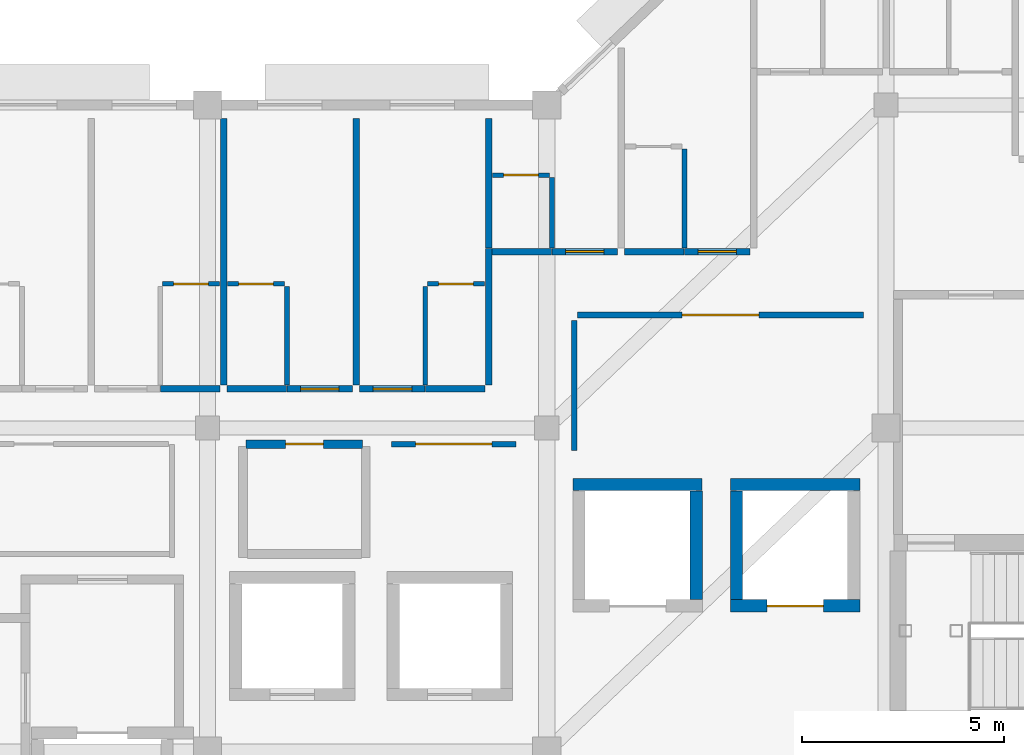
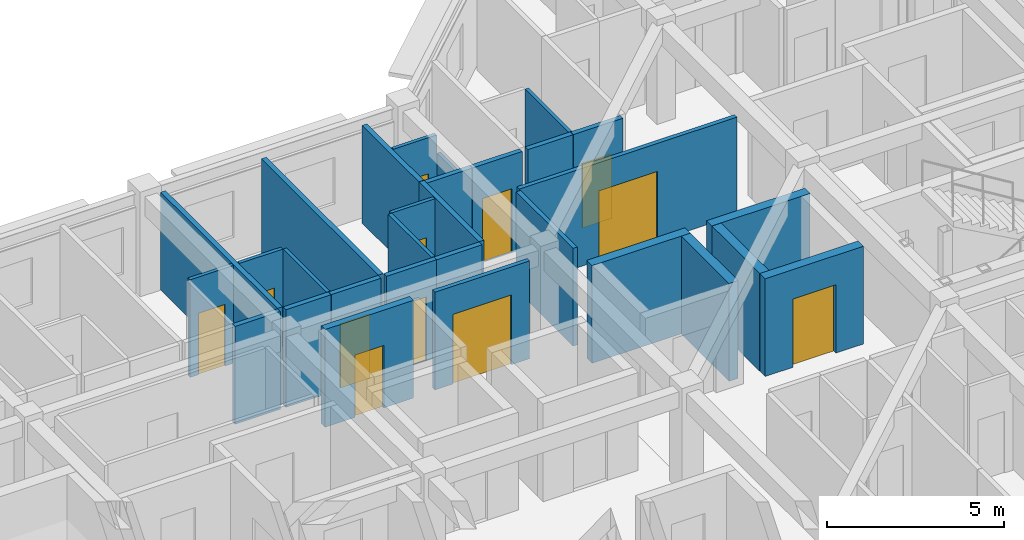
# One storey, part 8 of 15: 30 walls, 12 doors, 12 openings.
"""IFC4 building model written with IfcOpenShell, lengths in metres."""

from ifc_helpers import new_model, si_unit, direction, frame, frame_2d, origin, place, context, subcontext, project, spatial, rectangle, extrude, material, layer, layer_set, type_object, element, fill, save


model = new_model("IFC4")

# Units and contexts
model_context = context("Model", 3, precision=1e-05, world=origin(), true_north=direction((0.0, 1.0)))
body_context = subcontext(model_context, "Body", "Model", "MODEL_VIEW")
ifc_project = project(units=[si_unit("LENGTHUNIT", "METRE"), si_unit("AREAUNIT", "SQUARE_METRE"), si_unit("VOLUMEUNIT", "CUBIC_METRE"), si_unit("PLANEANGLEUNIT", "RADIAN"), si_unit("MASSUNIT", "GRAM", prefix="KILO")], contexts=[model_context])

# Site, building, storey
site_placement = place(None, origin())
site = spatial("IfcSite", under=ifc_project, at=site_placement, CompositionType="ELEMENT")
building_placement = place(site_placement, origin())
building = spatial("IfcBuilding", under=site, at=building_placement, Name="Naruveol Harbour Congress Hotel", CompositionType="ELEMENT")
storey_placement = place(building_placement, frame((0.0, 0.0, 36.0)))
storey = spatial("IfcBuildingStorey", under=building, at=storey_placement, Name="L08", CompositionType="ELEMENT", Elevation=36.0)

# Wall, opening, door
ifc_material_1 = material(Name="Acoustic Double Stud Gypsum", Category="gypsum")
ifc_layer_1 = layer(ifc_material_1, 0.139892578125)
ifc_layer_set_1 = layer_set([ifc_layer_1], Name="Acoustic Double Stud Gypsum")
wall_type_1 = type_object("IfcWallType", Name="ACOUSTIC MEETING PARTITION WALL 140", PredefinedType="PARTITIONING", material=ifc_layer_set_1)
wall_1_placement = place(storey_placement, frame((138.9599609375, 23.60009765625, 0.0), z_axis=(0.0, 0.0, 1.0), x_axis=(1.0, 0.0, 0.0)))
wall_1 = element("IfcWall", 1, at=wall_1_placement, inside=storey, type_object=wall_type_1, Name="Library Reading Lounge north entry wall PW-140", PredefinedType="PARTITIONING", context=body_context, shape_type="SweptSolid", body=[
    extrude(rectangle(XDim=3.080078125, YDim=0.139892578125, at=frame_2d((1.5400390625, 0.0))), origin(), (0.0, 0.0, 1.0), 3.364990234375),
])
opening_1_placement = place(wall_1_placement, frame((0.590087890625, 0.0, 0.0)))
opening_1 = element("IfcOpeningElement", 2, at=opening_1_placement, cuts=wall_1, Name="Opening ID-LG-122", PredefinedType="OPENING", context=body_context, shape_type="SweptSolid", body=[
    extrude(rectangle(XDim=1.89990234375, YDim=2.39990234375, at=frame_2d((0.949951171875, 1.199951171875))), frame((0.0, 0.079833984375, 0.0), z_axis=(0.0, -1.0, 0.0), x_axis=(1.0, 0.0, 0.0)), (0.0, 0.0, 1.0), 0.159912109375),
])
ifc_material_2 = material(Name="Timber & Steel Acoustic Leaf", Category="steel")
door_type_1 = type_object("IfcDoorType", Name="RESTAURANT AND LOUNGE GLAZED DOOR 1900X2400", OperationType="DOUBLE_DOOR_SINGLE_SWING", PredefinedType="DOOR", material=ifc_material_2)
door_1_placement = place(opening_1_placement, origin())
door_1 = element("IfcDoor", 3, at=door_1_placement, inside=storey, type_object=door_type_1, Name="Library Reading Lounge Entrance Door", OperationType="DOUBLE_DOOR_SINGLE_SWING", OverallHeight=2.39990234375, OverallWidth=1.89990234375, PredefinedType="DOOR", context=body_context, shape_type="SweptSolid", body=[
    extrude(rectangle(XDim=1.89990234375, YDim=2.39990234375, at=frame_2d((0.949951171875, 1.199951171875))), frame((0.0, 0.02490234375, 0.0), z_axis=(0.0, -1.0, 0.0), x_axis=(1.0, 0.0, 0.0)), (0.0, 0.0, 1.0), 0.050048828125),
])
fill(opening_1, door_1)

wall_2_placement = place(storey_placement, frame((143.56005859375, 26.800048828125, 0.0), z_axis=(0.0, 0.0, 1.0), x_axis=(1.0, 0.0, 0.0)))
wall_2 = element("IfcWall", 4, at=wall_2_placement, inside=storey, type_object=wall_type_1, Name="Harbour Study Salon north entry wall PW-140", PredefinedType="PARTITIONING", context=body_context, shape_type="SweptSolid", body=[
    extrude(rectangle(XDim=7.079833984375, YDim=0.139892578125, at=frame_2d((3.5400390625, 0.0))), origin(), (0.0, 0.0, 1.0), 3.364990234375),
])
opening_2_placement = place(wall_2_placement, frame((2.590087890625, 0.0, 0.0)))
opening_2 = element("IfcOpeningElement", 5, at=opening_2_placement, cuts=wall_2, Name="Opening ID-LG-125", PredefinedType="OPENING", context=body_context, shape_type="SweptSolid", body=[
    extrude(rectangle(XDim=1.89990234375, YDim=2.39990234375, at=frame_2d((0.949951171875, 1.199951171875))), frame((0.0, 0.079833984375, 0.0), z_axis=(0.0, -1.0, 0.0), x_axis=(1.0, 0.0, 0.0)), (0.0, 0.0, 1.0), 0.159912109375),
])
door_2_placement = place(opening_2_placement, origin())
door_2 = element("IfcDoor", 6, at=door_2_placement, inside=storey, type_object=door_type_1, Name="Harbour Study Salon Entrance Door", OperationType="DOUBLE_DOOR_SINGLE_SWING", OverallHeight=2.39990234375, OverallWidth=1.89990234375, PredefinedType="DOOR", context=body_context, shape_type="SweptSolid", body=[
    extrude(rectangle(XDim=1.89990234375, YDim=2.39990234375, at=frame_2d((0.949951171875, 1.199951171875))), frame((0.0, 0.02490234375, 0.0), z_axis=(0.0, -1.0, 0.0), x_axis=(1.0, 0.0, 0.0)), (0.0, 0.0, 1.0), 0.050048828125),
])
fill(opening_2, door_2)

# Wall
wall_3_placement = place(storey_placement, frame((143.47998046875, 23.449951171875, 0.0), z_axis=(0.0, 0.0, 1.0), x_axis=(0.0, 1.0, 0.0)))
element("IfcWall", 7, at=wall_3_placement, inside=storey, type_object=wall_type_1, Name="Harbour Study Salon west partition PW-140", PredefinedType="PARTITIONING", context=body_context, shape_type="SweptSolid", body=[
    extrude(rectangle(XDim=3.2099609375, YDim=0.139892578125, at=frame_2d((1.60498046875, 0.0))), origin(), (0.0, 0.0, 1.0), 3.364990234375),
])

# Wall, opening, door
ifc_material_3 = material(Name="Moisture-Resistant Gypsum Partition", Category="gypsum")
ifc_layer_2 = layer(ifc_material_3, 0.114990234375)
ifc_layer_set_2 = layer_set([ifc_layer_2], Name="Moisture-Resistant Gypsum Partition")
wall_type_2 = type_object("IfcWallType", Name="BATHROOM MOISTURE PARTITION WALL 115", PredefinedType="PARTITIONING", material=ifc_layer_set_2)
wall_4_placement = place(storey_placement, frame((133.2900390625, 27.570068359375, 0.0), z_axis=(0.0, 0.0, 1.0), x_axis=(1.0, 0.0, 0.0)))
wall_4 = element("IfcWall", 8, at=wall_4_placement, inside=storey, type_object=wall_type_2, Name="Bathroom north wall 0940 PW-115", PredefinedType="PARTITIONING", context=body_context, shape_type="SweptSolid", body=[
    extrude(rectangle(XDim=1.409912109375, YDim=0.114990234375, at=frame_2d((0.705078125, 0.0))), origin(), (0.0, 0.0, 1.0), 3.364990234375),
])
opening_3_placement = place(wall_4_placement, frame((0.27490234375, 0.0, 0.0)))
opening_3 = element("IfcOpeningElement", 9, at=opening_3_placement, cuts=wall_4, Name="Opening BD-RM0940", PredefinedType="OPENING", context=body_context, shape_type="SweptSolid", body=[
    extrude(rectangle(XDim=0.860107421875, YDim=2.1201171875, at=frame_2d((0.43017578125, 1.06005859375))), frame((0.0, 0.0673828125, 0.0), z_axis=(0.0, -1.0, 0.0), x_axis=(1.0, 0.0, 0.0)), (0.0, 0.0, 1.0), 0.135009765625),
])
ifc_material_4 = material(Name="Timber & Steel Acoustic Leaf", Category="steel")
door_type_2 = type_object("IfcDoorType", Name="GUEST BATHROOM DOOR 860X2120", OperationType="NOTDEFINED", PredefinedType="DOOR", material=ifc_material_4)
door_3_placement = place(opening_3_placement, origin())
door_3 = element("IfcDoor", 10, at=door_3_placement, inside=storey, type_object=door_type_2, Name="Bathroom Door 0940", OperationType="SINGLE_SWING_RIGHT", OverallHeight=2.1201171875, OverallWidth=0.860107421875, PredefinedType="DOOR", context=body_context, shape_type="SweptSolid", body=[
    extrude(rectangle(XDim=0.860107421875, YDim=2.1201171875, at=frame_2d((0.43017578125, 1.06005859375))), frame((0.0, 0.02490234375, 0.0), z_axis=(0.0, -1.0, 0.0), x_axis=(1.0, 0.0, 0.0)), (0.0, 0.0, 1.0), 0.050048828125),
])
fill(opening_3, door_3)

# Wall
wall_5_placement = place(storey_placement, frame((136.3701171875, 25.06005859375, 0.0), z_axis=(0.0, 0.0, 1.0), x_axis=(0.0, 1.0, 0.0)))
element("IfcWall", 11, at=wall_5_placement, inside=storey, type_object=wall_type_2, Name="Bathroom east wall 0941 PW-115", PredefinedType="PARTITIONING", context=body_context, shape_type="SweptSolid", body=[
    extrude(rectangle(XDim=2.449951171875, YDim=0.114990234375, at=frame_2d((1.22509765625, 0.0))), origin(), (0.0, 0.0, 1.0), 3.364990234375),
])

# Wall, opening, door
wall_6_placement = place(storey_placement, frame((134.89990234375, 27.570068359375, 0.0), z_axis=(0.0, 0.0, 1.0), x_axis=(1.0, 0.0, 0.0)))
wall_6 = element("IfcWall", 12, at=wall_6_placement, inside=storey, type_object=wall_type_2, Name="Bathroom north wall 0941 PW-115", PredefinedType="PARTITIONING", context=body_context, shape_type="SweptSolid", body=[
    extrude(rectangle(XDim=1.41015625, YDim=0.114990234375, at=frame_2d((0.705078125, 0.0))), origin(), (0.0, 0.0, 1.0), 3.364990234375),
])
opening_4_placement = place(wall_6_placement, frame((0.27490234375, 0.0, 0.0)))
opening_4 = element("IfcOpeningElement", 13, at=opening_4_placement, cuts=wall_6, Name="Opening BD-RM0941", PredefinedType="OPENING", context=body_context, shape_type="SweptSolid", body=[
    extrude(rectangle(XDim=0.860107421875, YDim=2.1201171875, at=frame_2d((0.43017578125, 1.06005859375))), frame((0.0, 0.0673828125, 0.0), z_axis=(0.0, -1.0, 0.0), x_axis=(1.0, 0.0, 0.0)), (0.0, 0.0, 1.0), 0.135009765625),
])
door_4_placement = place(opening_4_placement, origin())
door_4 = element("IfcDoor", 14, at=door_4_placement, inside=storey, type_object=door_type_2, Name="Bathroom Door 0941", OperationType="SINGLE_SWING_RIGHT", OverallHeight=2.1201171875, OverallWidth=0.860107421875, PredefinedType="DOOR", context=body_context, shape_type="SweptSolid", body=[
    extrude(rectangle(XDim=0.860107421875, YDim=2.1201171875, at=frame_2d((0.43017578125, 1.06005859375))), frame((0.0, 0.02490234375, 0.0), z_axis=(0.0, -1.0, 0.0), x_axis=(1.0, 0.0, 0.0)), (0.0, 0.0, 1.0), 0.050048828125),
])
fill(opening_4, door_4)

# Wall
wall_7_placement = place(storey_placement, frame((139.7900390625, 25.06005859375, 0.0), z_axis=(0.0, 0.0, 1.0), x_axis=(0.0, 1.0, 0.0)))
element("IfcWall", 15, at=wall_7_placement, inside=storey, type_object=wall_type_2, Name="Bathroom west wall 0942 PW-115", PredefinedType="PARTITIONING", context=body_context, shape_type="SweptSolid", body=[
    extrude(rectangle(XDim=2.449951171875, YDim=0.114990234375, at=frame_2d((1.22509765625, 0.0))), origin(), (0.0, 0.0, 1.0), 3.364990234375),
])

# Wall, opening, door
wall_8_placement = place(storey_placement, frame((139.85009765625, 27.570068359375, 0.0), z_axis=(0.0, 0.0, 1.0), x_axis=(1.0, 0.0, 0.0)))
wall_8 = element("IfcWall", 16, at=wall_8_placement, inside=storey, type_object=wall_type_2, Name="Bathroom north wall 0942 PW-115", PredefinedType="PARTITIONING", context=body_context, shape_type="SweptSolid", body=[
    extrude(rectangle(XDim=1.409912109375, YDim=0.114990234375, at=frame_2d((0.705078125, 0.0))), origin(), (0.0, 0.0, 1.0), 3.364990234375),
])
opening_5_placement = place(wall_8_placement, frame((0.27490234375, 0.0, 0.0)))
opening_5 = element("IfcOpeningElement", 17, at=opening_5_placement, cuts=wall_8, Name="Opening BD-RM0942", PredefinedType="OPENING", context=body_context, shape_type="SweptSolid", body=[
    extrude(rectangle(XDim=0.860107421875, YDim=2.1201171875, at=frame_2d((0.43017578125, 1.06005859375))), frame((0.0, 0.0673828125, 0.0), z_axis=(0.0, -1.0, 0.0), x_axis=(1.0, 0.0, 0.0)), (0.0, 0.0, 1.0), 0.135009765625),
])
door_5_placement = place(opening_5_placement, origin())
door_5 = element("IfcDoor", 18, at=door_5_placement, inside=storey, type_object=door_type_2, Name="Bathroom Door 0942", OperationType="SINGLE_SWING_RIGHT", OverallHeight=2.1201171875, OverallWidth=0.860107421875, PredefinedType="DOOR", context=body_context, shape_type="SweptSolid", body=[
    extrude(rectangle(XDim=0.860107421875, YDim=2.1201171875, at=frame_2d((0.43017578125, 1.06005859375))), frame((0.0, 0.02490234375, 0.0), z_axis=(0.0, -1.0, 0.0), x_axis=(1.0, 0.0, 0.0)), (0.0, 0.0, 1.0), 0.050048828125),
])
fill(opening_5, door_5)

# Wall
wall_9_placement = place(storey_placement, frame((142.929931640625, 28.4599609375, 0.0), z_axis=(0.0, 0.0, 1.0), x_axis=(0.0, 1.0, 0.0)))
element("IfcWall", 19, at=wall_9_placement, inside=storey, type_object=wall_type_2, Name="Bathroom east wall 0943 PW-115", PredefinedType="PARTITIONING", context=body_context, shape_type="SweptSolid", body=[
    extrude(rectangle(XDim=1.739990234375, YDim=0.114990234375, at=frame_2d((0.8701171875, 0.0))), origin(), (0.0, 0.0, 1.0), 2.739990234375),
])

# Wall, opening, door
wall_10_placement = place(storey_placement, frame((141.4599609375, 30.260009765625, 0.0), z_axis=(0.0, 0.0, 1.0), x_axis=(1.0, 0.0, 0.0)))
wall_10 = element("IfcWall", 20, at=wall_10_placement, inside=storey, type_object=wall_type_2, Name="Bathroom north wall 0943 PW-115", PredefinedType="PARTITIONING", context=body_context, shape_type="SweptSolid", body=[
    extrude(rectangle(XDim=1.41015625, YDim=0.114990234375, at=frame_2d((0.705078125, 0.0))), origin(), (0.0, 0.0, 1.0), 3.364990234375),
])
opening_6_placement = place(wall_10_placement, frame((0.27490234375, 0.0, 0.0)))
opening_6 = element("IfcOpeningElement", 21, at=opening_6_placement, cuts=wall_10, Name="Opening BD-RM0943", PredefinedType="OPENING", context=body_context, shape_type="SweptSolid", body=[
    extrude(rectangle(XDim=0.860107421875, YDim=2.1201171875, at=frame_2d((0.43017578125, 1.06005859375))), frame((0.0, 0.0673828125, 0.0), z_axis=(0.0, -1.0, 0.0), x_axis=(1.0, 0.0, 0.0)), (0.0, 0.0, 1.0), 0.135009765625),
])
door_6_placement = place(opening_6_placement, origin())
door_6 = element("IfcDoor", 22, at=door_6_placement, inside=storey, type_object=door_type_2, Name="Bathroom Door 0943", OperationType="SINGLE_SWING_RIGHT", OverallHeight=2.1201171875, OverallWidth=0.860107421875, PredefinedType="DOOR", context=body_context, shape_type="SweptSolid", body=[
    extrude(rectangle(XDim=0.860107421875, YDim=2.1201171875, at=frame_2d((0.43017578125, 1.06005859375))), frame((0.0, 0.02490234375, 0.0), z_axis=(0.0, -1.0, 0.0), x_axis=(1.0, 0.0, 0.0)), (0.0, 0.0, 1.0), 0.050048828125),
])
fill(opening_6, door_6)

# Wall
wall_11_placement = place(storey_placement, frame((146.2099609375, 28.4599609375, 0.0), z_axis=(0.0, 0.0, 1.0), x_axis=(0.0, 1.0, 0.0)))
element("IfcWall", 23, at=wall_11_placement, inside=storey, type_object=wall_type_2, Name="Bathroom east wall 0944 PW-115", PredefinedType="PARTITIONING", context=body_context, shape_type="SweptSolid", body=[
    extrude(rectangle(XDim=2.449951171875, YDim=0.114990234375, at=frame_2d((1.22509765625, 0.0))), origin(), (0.0, 0.0, 1.0), 3.364990234375),
])

# Wall, opening, door
ifc_material_5 = material(Name="Concrete C40/50", Category="concrete")
ifc_layer_3 = layer(ifc_material_5, 0.219970703125)
ifc_layer_set_3 = layer_set([ifc_layer_3], Name="Concrete C40/50")
wall_type_3 = type_object("IfcWallType", Name="FIRE COMPARTMENT AND LOBBY WALL 220 EI120", PredefinedType="PARTITIONING", material=ifc_layer_set_3)
wall_12_placement = place(storey_placement, frame((135.360107421875, 23.60009765625, 0.0), z_axis=(0.0, 0.0, 1.0), x_axis=(1.0, 0.0, 0.0)))
wall_12 = element("IfcWall", 24, at=wall_12_placement, inside=storey, type_object=wall_type_3, Name="Housekeeping Pantry north entry wall FW-220", PredefinedType="PARTITIONING", context=body_context, shape_type="SweptSolid", body=[
    extrude(rectangle(XDim=2.8798828125, YDim=0.219970703125, at=frame_2d((1.43994140625, 0.0))), origin(), (0.0, 0.0, 1.0), 3.364990234375),
])
opening_7_placement = place(wall_12_placement, frame((0.969970703125, 0.0, 0.0)))
opening_7 = element("IfcOpeningElement", 25, at=opening_7_placement, cuts=wall_12, Name="Opening FD-ST-124", PredefinedType="OPENING", context=body_context, shape_type="SweptSolid", body=[
    extrude(rectangle(XDim=0.93994140625, YDim=2.14990234375, at=frame_2d((0.469970703125, 1.074951171875))), frame((0.0, 0.119873046875, 0.0), z_axis=(0.0, -1.0, 0.0), x_axis=(1.0, 0.0, 0.0)), (0.0, 0.0, 1.0), 0.239990234375),
])
ifc_material_6 = material(Name="Timber & Steel Acoustic Leaf", Category="steel")
door_type_3 = type_object("IfcDoorType", Name="HOUSEKEEPING AND STORE FIRE DOOR 940X2150", OperationType="NOTDEFINED", PredefinedType="DOOR", material=ifc_material_6)
door_7_placement = place(opening_7_placement, origin())
door_7 = element("IfcDoor", 26, at=door_7_placement, inside=storey, type_object=door_type_3, Name="Housekeeping Pantry Fire Door", OperationType="SINGLE_SWING_RIGHT", OverallHeight=2.14990234375, OverallWidth=0.93994140625, PredefinedType="DOOR", context=body_context, shape_type="SweptSolid", body=[
    extrude(rectangle(XDim=0.93994140625, YDim=2.14990234375, at=frame_2d((0.469970703125, 1.074951171875))), frame((0.0, 0.02490234375, 0.0), z_axis=(0.0, -1.0, 0.0), x_axis=(1.0, 0.0, 0.0)), (0.0, 0.0, 1.0), 0.050048828125),
])
fill(opening_7, door_7)

# Walls
ifc_material_7 = material(Name="Autoclaved Aerated Concrete Block", Category="concrete")
ifc_layer_4 = layer(ifc_material_7, 0.159912109375)
ifc_layer_set_4 = layer_set([ifc_layer_4], Name="Autoclaved Aerated Concrete Block")
wall_type_4 = type_object("IfcWallType", Name="HOTEL PARTY AND CORRIDOR WALL 160 EI60", PredefinedType="PARTITIONING", material=ifc_layer_set_4)
wall_13_placement = place(storey_placement, frame((133.239990234375, 24.969970703125, 0.0), z_axis=(0.0, 0.0, 1.0), x_axis=(1.0, 0.0, 0.0)))
element("IfcWall", 27, at=wall_13_placement, inside=storey, type_object=wall_type_4, Name="Corridor wall 0940B PW-160", PredefinedType="PARTITIONING", context=body_context, shape_type="SweptSolid", body=[
    extrude(rectangle(XDim=1.469970703125, YDim=0.159912109375, at=frame_2d((0.73486328125, 0.0))), origin(), (0.0, 0.0, 1.0), 3.364990234375),
])
wall_14_placement = place(storey_placement, frame((134.889892578125, 24.969970703125, 0.0), z_axis=(0.0, 0.0, 1.0), x_axis=(1.0, 0.0, 0.0)))
element("IfcWall", 28, at=wall_14_placement, inside=storey, type_object=wall_type_4, Name="Corridor wall 0941B PW-160", PredefinedType="PARTITIONING", context=body_context, shape_type="SweptSolid", body=[
    extrude(rectangle(XDim=1.47021484375, YDim=0.159912109375, at=frame_2d((0.735107421875, 0.0))), origin(), (0.0, 0.0, 1.0), 3.364990234375),
])

# Wall, opening, door
wall_15_placement = place(storey_placement, frame((136.3701171875, 24.969970703125, 0.0), z_axis=(0.0, 0.0, 1.0), x_axis=(1.0, 0.0, 0.0)))
wall_15 = element("IfcWall", 29, at=wall_15_placement, inside=storey, type_object=wall_type_4, Name="Corridor entry wall 0941 PW-160", PredefinedType="PARTITIONING", context=body_context, shape_type="SweptSolid", body=[
    extrude(rectangle(XDim=1.619873046875, YDim=0.159912109375, at=frame_2d((0.81005859375, 0.0))), origin(), (0.0, 0.0, 1.0), 3.364990234375),
])
opening_8_placement = place(wall_15_placement, frame((0.330078125, 0.0, 0.0)))
opening_8 = element("IfcOpeningElement", 30, at=opening_8_placement, cuts=wall_15, Name="Opening FD-RM0941", PredefinedType="OPENING", context=body_context, shape_type="SweptSolid", body=[
    extrude(rectangle(XDim=0.9599609375, YDim=2.199951171875, at=frame_2d((0.47998046875, 1.10009765625))), frame((0.0, 0.08984375, 0.0), z_axis=(0.0, -1.0, 0.0), x_axis=(1.0, 0.0, 0.0)), (0.0, 0.0, 1.0), 0.179931640625),
])
ifc_material_8 = material(Name="Timber & Steel Acoustic Leaf", Category="steel")
door_type_4 = type_object("IfcDoorType", Name="GUEST ROOM ENTRANCE FIRE DOOR 960X2200", OperationType="NOTDEFINED", PredefinedType="DOOR", material=ifc_material_8)
door_8_placement = place(opening_8_placement, origin())
door_8 = element("IfcDoor", 31, at=door_8_placement, inside=storey, type_object=door_type_4, Name="Hotel Room Door 0941", OperationType="SINGLE_SWING_LEFT", OverallHeight=2.199951171875, OverallWidth=0.9599609375, PredefinedType="DOOR", context=body_context, shape_type="SweptSolid", body=[
    extrude(rectangle(XDim=0.9599609375, YDim=2.199951171875, at=frame_2d((0.47998046875, 1.10009765625))), frame((0.0, 0.02490234375, 0.0), z_axis=(0.0, -1.0, 0.0), x_axis=(1.0, 0.0, 0.0)), (0.0, 0.0, 1.0), 0.050048828125),
])
fill(opening_8, door_8)

# Wall
wall_16_placement = place(storey_placement, frame((134.800048828125, 25.06005859375, 0.0), z_axis=(0.0, 0.0, 1.0), x_axis=(0.0, 1.0, 0.0)))
element("IfcWall", 32, at=wall_16_placement, inside=storey, type_object=wall_type_4, Name="Hotel party wall 0941 PW-160", PredefinedType="PARTITIONING", context=body_context, shape_type="SweptSolid", body=[
    extrude(rectangle(XDim=6.599853515625, YDim=0.159912109375, at=frame_2d((3.2998046875, 0.0))), origin(), (0.0, 0.0, 1.0), 3.364990234375),
])

# Wall, opening, door
wall_17_placement = place(storey_placement, frame((138.169921875, 24.969970703125, 0.0), z_axis=(0.0, 0.0, 1.0), x_axis=(1.0, 0.0, 0.0)))
wall_17 = element("IfcWall", 33, at=wall_17_placement, inside=storey, type_object=wall_type_4, Name="Corridor entry wall 0942 PW-160", PredefinedType="PARTITIONING", context=body_context, shape_type="SweptSolid", body=[
    extrude(rectangle(XDim=1.6201171875, YDim=0.159912109375, at=frame_2d((0.81005859375, 0.0))), origin(), (0.0, 0.0, 1.0), 3.364990234375),
])
opening_9_placement = place(wall_17_placement, frame((0.330078125, 0.0, 0.0)))
opening_9 = element("IfcOpeningElement", 34, at=opening_9_placement, cuts=wall_17, Name="Opening FD-RM0942", PredefinedType="OPENING", context=body_context, shape_type="SweptSolid", body=[
    extrude(rectangle(XDim=0.9599609375, YDim=2.199951171875, at=frame_2d((0.47998046875, 1.10009765625))), frame((0.0, 0.08984375, 0.0), z_axis=(0.0, -1.0, 0.0), x_axis=(1.0, 0.0, 0.0)), (0.0, 0.0, 1.0), 0.179931640625),
])
door_9_placement = place(opening_9_placement, origin())
door_9 = element("IfcDoor", 35, at=door_9_placement, inside=storey, type_object=door_type_4, Name="Hotel Room Door 0942", OperationType="SINGLE_SWING_LEFT", OverallHeight=2.199951171875, OverallWidth=0.9599609375, PredefinedType="DOOR", context=body_context, shape_type="SweptSolid", body=[
    extrude(rectangle(XDim=0.9599609375, YDim=2.199951171875, at=frame_2d((0.47998046875, 1.10009765625))), frame((0.0, 0.02490234375, 0.0), z_axis=(0.0, -1.0, 0.0), x_axis=(1.0, 0.0, 0.0)), (0.0, 0.0, 1.0), 0.050048828125),
])
fill(opening_9, door_9)

# Walls
wall_18_placement = place(storey_placement, frame((139.800048828125, 24.969970703125, 0.0), z_axis=(0.0, 0.0, 1.0), x_axis=(1.0, 0.0, 0.0)))
element("IfcWall", 36, at=wall_18_placement, inside=storey, type_object=wall_type_4, Name="Corridor wall 0942B PW-160", PredefinedType="PARTITIONING", context=body_context, shape_type="SweptSolid", body=[
    extrude(rectangle(XDim=1.469970703125, YDim=0.159912109375, at=frame_2d((0.73486328125, 0.0))), origin(), (0.0, 0.0, 1.0), 3.364990234375),
])
wall_19_placement = place(storey_placement, frame((138.080078125, 25.06005859375, 0.0), z_axis=(0.0, 0.0, 1.0), x_axis=(0.0, 1.0, 0.0)))
element("IfcWall", 37, at=wall_19_placement, inside=storey, type_object=wall_type_4, Name="Hotel party wall 0942 PW-160", PredefinedType="PARTITIONING", context=body_context, shape_type="SweptSolid", body=[
    extrude(rectangle(XDim=6.599853515625, YDim=0.159912109375, at=frame_2d((3.2998046875, 0.0))), origin(), (0.0, 0.0, 1.0), 3.364990234375),
])
wall_20_placement = place(storey_placement, frame((141.360107421875, 25.06005859375, 0.0), z_axis=(0.0, 0.0, 1.0), x_axis=(0.0, 1.0, 0.0)))
element("IfcWall", 38, at=wall_20_placement, inside=storey, type_object=wall_type_4, Name="Hotel end party wall 0942 PW-160", PredefinedType="PARTITIONING", context=body_context, shape_type="SweptSolid", body=[
    extrude(rectangle(XDim=3.389892578125, YDim=0.159912109375, at=frame_2d((1.69482421875, 0.0))), origin(), (0.0, 0.0, 1.0), 3.364990234375),
])
wall_21_placement = place(storey_placement, frame((141.449951171875, 28.3701171875, 0.0), z_axis=(0.0, 0.0, 1.0), x_axis=(1.0, 0.0, 0.0)))
element("IfcWall", 39, at=wall_21_placement, inside=storey, type_object=wall_type_4, Name="Corridor wall 0943B PW-160", PredefinedType="PARTITIONING", context=body_context, shape_type="SweptSolid", body=[
    extrude(rectangle(XDim=1.469970703125, YDim=0.159912109375, at=frame_2d((0.73486328125, 0.0))), origin(), (0.0, 0.0, 1.0), 3.364990234375),
])

# Wall, opening, door
wall_22_placement = place(storey_placement, frame((142.929931640625, 28.3701171875, 0.0), z_axis=(0.0, 0.0, 1.0), x_axis=(1.0, 0.0, 0.0)))
wall_22 = element("IfcWall", 40, at=wall_22_placement, inside=storey, type_object=wall_type_4, Name="Corridor entry wall 0943 PW-160", PredefinedType="PARTITIONING", context=body_context, shape_type="SweptSolid", body=[
    extrude(rectangle(XDim=1.6201171875, YDim=0.159912109375, at=frame_2d((0.81005859375, 0.0))), origin(), (0.0, 0.0, 1.0), 3.364990234375),
])
opening_10_placement = place(wall_22_placement, frame((0.330078125, 0.0, 0.0)))
opening_10 = element("IfcOpeningElement", 41, at=opening_10_placement, cuts=wall_22, Name="Opening FD-RM0943", PredefinedType="OPENING", context=body_context, shape_type="SweptSolid", body=[
    extrude(rectangle(XDim=0.9599609375, YDim=2.199951171875, at=frame_2d((0.47998046875, 1.10009765625))), frame((0.0, 0.08984375, 0.0), z_axis=(0.0, -1.0, 0.0), x_axis=(1.0, 0.0, 0.0)), (0.0, 0.0, 1.0), 0.179931640625),
])
door_10_placement = place(opening_10_placement, origin())
door_10 = element("IfcDoor", 42, at=door_10_placement, inside=storey, type_object=door_type_4, Name="Hotel Room Door 0943", OperationType="SINGLE_SWING_LEFT", OverallHeight=2.199951171875, OverallWidth=0.9599609375, PredefinedType="DOOR", context=body_context, shape_type="SweptSolid", body=[
    extrude(rectangle(XDim=0.9599609375, YDim=2.199951171875, at=frame_2d((0.47998046875, 1.10009765625))), frame((0.0, 0.02490234375, 0.0), z_axis=(0.0, -1.0, 0.0), x_axis=(1.0, 0.0, 0.0)), (0.0, 0.0, 1.0), 0.050048828125),
])
fill(opening_10, door_10)

# Walls
wall_23_placement = place(storey_placement, frame((141.360107421875, 28.4599609375, 0.0), z_axis=(0.0, 0.0, 1.0), x_axis=(0.0, 1.0, 0.0)))
element("IfcWall", 43, at=wall_23_placement, inside=storey, type_object=wall_type_4, Name="Hotel party wall 0943 PW-160", PredefinedType="PARTITIONING", context=body_context, shape_type="SweptSolid", body=[
    extrude(rectangle(XDim=3.199951171875, YDim=0.159912109375, at=frame_2d((1.60009765625, 0.0))), origin(), (0.0, 0.0, 1.0), 3.364990234375),
])
wall_24_placement = place(storey_placement, frame((144.72998046875, 28.3701171875, 0.0), z_axis=(0.0, 0.0, 1.0), x_axis=(1.0, 0.0, 0.0)))
element("IfcWall", 44, at=wall_24_placement, inside=storey, type_object=wall_type_4, Name="Corridor wall 0944B PW-160", PredefinedType="PARTITIONING", context=body_context, shape_type="SweptSolid", body=[
    extrude(rectangle(XDim=1.469970703125, YDim=0.159912109375, at=frame_2d((0.73486328125, 0.0))), origin(), (0.0, 0.0, 1.0), 3.364990234375),
])

# Wall, opening, door
wall_25_placement = place(storey_placement, frame((146.2099609375, 28.3701171875, 0.0), z_axis=(0.0, 0.0, 1.0), x_axis=(1.0, 0.0, 0.0)))
wall_25 = element("IfcWall", 45, at=wall_25_placement, inside=storey, type_object=wall_type_4, Name="Corridor entry wall 0944 PW-160", PredefinedType="PARTITIONING", context=body_context, shape_type="SweptSolid", body=[
    extrude(rectangle(XDim=1.6201171875, YDim=0.159912109375, at=frame_2d((0.81005859375, 0.0))), origin(), (0.0, 0.0, 1.0), 3.364990234375),
])
opening_11_placement = place(wall_25_placement, frame((0.330078125, 0.0, 0.0)))
opening_11 = element("IfcOpeningElement", 46, at=opening_11_placement, cuts=wall_25, Name="Opening FD-RM0944", PredefinedType="OPENING", context=body_context, shape_type="SweptSolid", body=[
    extrude(rectangle(XDim=0.9599609375, YDim=2.199951171875, at=frame_2d((0.47998046875, 1.10009765625))), frame((0.0, 0.08984375, 0.0), z_axis=(0.0, -1.0, 0.0), x_axis=(1.0, 0.0, 0.0)), (0.0, 0.0, 1.0), 0.179931640625),
])
door_11_placement = place(opening_11_placement, origin())
door_11 = element("IfcDoor", 47, at=door_11_placement, inside=storey, type_object=door_type_4, Name="Hotel Room Door 0944", OperationType="SINGLE_SWING_LEFT", OverallHeight=2.199951171875, OverallWidth=0.9599609375, PredefinedType="DOOR", context=body_context, shape_type="SweptSolid", body=[
    extrude(rectangle(XDim=0.9599609375, YDim=2.199951171875, at=frame_2d((0.47998046875, 1.10009765625))), frame((0.0, 0.02490234375, 0.0), z_axis=(0.0, -1.0, 0.0), x_axis=(1.0, 0.0, 0.0)), (0.0, 0.0, 1.0), 0.050048828125),
])
fill(opening_11, door_11)

# Walls
ifc_material_9 = material(Name="Concrete C50/60", Category="concrete")
ifc_layer_5 = layer(ifc_material_9, 0.300048828125)
ifc_layer_set_5 = layer_set([ifc_layer_5], Name="Concrete C50/60")
wall_type_5 = type_object("IfcWallType", Name="RC STAIR AND HOISTWAY SHEAR WALL 300 EI120", PredefinedType="SHEAR", material=ifc_layer_set_5)
wall_26_placement = place(storey_placement, frame((146.5, 19.7548828125, 0.0), z_axis=(0.0, 0.0, 1.0), x_axis=(0.0, 1.0, 0.0)))
element("IfcWall", 48, at=wall_26_placement, inside=storey, type_object=wall_type_5, Name="Hoistway east shear wall GL1 SW-300", PredefinedType="SHEAR", context=body_context, shape_type="SweptSolid", body=[
    extrude(rectangle(XDim=2.690185546875, YDim=0.300048828125, at=frame_2d((1.34521484375, 0.0))), origin(), (0.0, 0.0, 1.0), 3.364990234375),
])
wall_27_placement = place(storey_placement, frame((146.64990234375, 22.60009765625, 0.0), z_axis=(0.0, 0.0, 1.0), x_axis=(-1.0, 0.0, 0.0)))
element("IfcWall", 49, at=wall_27_placement, inside=storey, type_object=wall_type_5, Name="Hoistway north shear wall GL1 SW-300", PredefinedType="SHEAR", context=body_context, shape_type="SweptSolid", body=[
    extrude(rectangle(XDim=3.199951171875, YDim=0.300048828125, at=frame_2d((1.60009765625, 0.0))), origin(), (0.0, 0.0, 1.0), 3.364990234375),
])

# Wall, opening, door
wall_28_placement = place(storey_placement, frame((147.35009765625, 19.60009765625, 0.0), z_axis=(0.0, 0.0, 1.0), x_axis=(1.0, 0.0, 0.0)))
wall_28 = element("IfcWall", 50, at=wall_28_placement, inside=storey, type_object=wall_type_5, Name="Hoistway south shear wall GL2 SW-300", PredefinedType="SHEAR", context=body_context, shape_type="SweptSolid", body=[
    extrude(rectangle(XDim=3.199951171875, YDim=0.300048828125, at=frame_2d((1.60009765625, 0.0))), origin(), (0.0, 0.0, 1.0), 3.364990234375),
])
opening_12_placement = place(wall_28_placement, frame((0.89990234375, 0.0, 0.0)))
opening_12 = element("IfcOpeningElement", 51, at=opening_12_placement, cuts=wall_28, Name="Opening LD-GL2-L08", PredefinedType="OPENING", context=body_context, shape_type="SweptSolid", body=[
    extrude(rectangle(XDim=1.39990234375, YDim=2.35009765625, at=frame_2d((0.699951171875, 1.175048828125))), frame((0.0, 0.159912109375, 0.0), z_axis=(0.0, -1.0, 0.0), x_axis=(1.0, 0.0, 0.0)), (0.0, 0.0, 1.0), 0.320068359375),
])
ifc_material_10 = material(Name="Stainless Steel Lift Door", Category="steel")
door_type_5 = type_object("IfcDoorType", Name="GOODS LIFT LANDING DOOR 1400X2350", OperationType="DOUBLE_DOOR_SLIDING", PredefinedType="DOOR", material=ifc_material_10)
door_12_placement = place(opening_12_placement, origin())
door_12 = element("IfcDoor", 52, at=door_12_placement, inside=storey, type_object=door_type_5, Name="Elevator Landing Door GL2 L08", OperationType="DOUBLE_DOOR_SLIDING", OverallHeight=2.35009765625, OverallWidth=1.39990234375, PredefinedType="DOOR", context=body_context, shape_type="SweptSolid", body=[
    extrude(rectangle(XDim=1.39990234375, YDim=2.35009765625, at=frame_2d((0.699951171875, 1.175048828125))), frame((0.0, 0.02490234375, 0.0), z_axis=(0.0, -1.0, 0.0), x_axis=(1.0, 0.0, 0.0)), (0.0, 0.0, 1.0), 0.050048828125),
])
fill(opening_12, door_12)

# Walls
wall_29_placement = place(storey_placement, frame((150.550048828125, 22.60009765625, 0.0), z_axis=(0.0, 0.0, 1.0), x_axis=(-1.0, 0.0, 0.0)))
element("IfcWall", 53, at=wall_29_placement, inside=storey, type_object=wall_type_5, Name="Hoistway north shear wall GL2 SW-300", PredefinedType="SHEAR", context=body_context, shape_type="SweptSolid", body=[
    extrude(rectangle(XDim=3.199951171875, YDim=0.300048828125, at=frame_2d((1.60009765625, 0.0))), origin(), (0.0, 0.0, 1.0), 3.364990234375),
])
wall_30_placement = place(storey_placement, frame((147.5, 22.445068359375, 0.0), z_axis=(0.0, 0.0, 1.0), x_axis=(0.0, -1.0, 0.0)))
element("IfcWall", 54, at=wall_30_placement, inside=storey, type_object=wall_type_5, Name="Hoistway west shear wall GL2 SW-300", PredefinedType="SHEAR", context=body_context, shape_type="SweptSolid", body=[
    extrude(rectangle(XDim=2.690185546875, YDim=0.300048828125, at=frame_2d((1.34521484375, 0.0))), origin(), (0.0, 0.0, 1.0), 3.364990234375),
])

save(model, "model.ifc")
